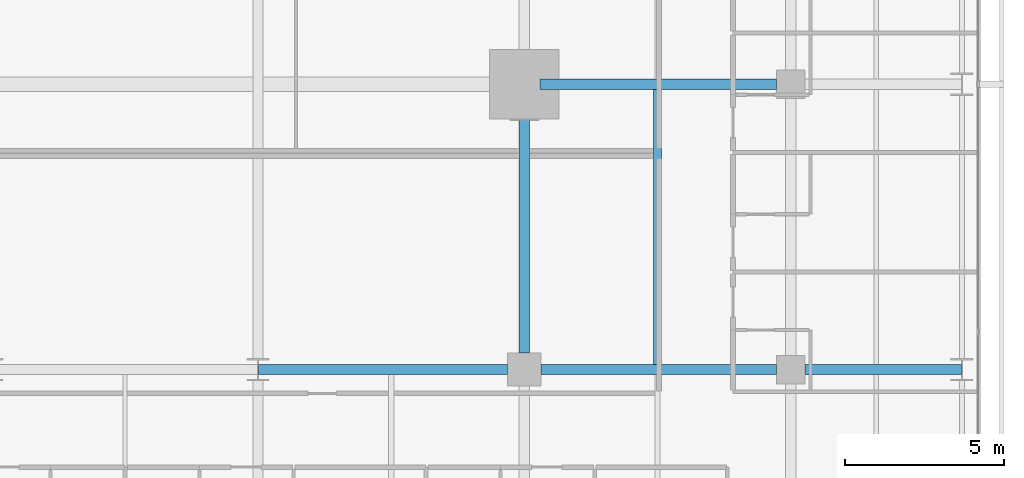
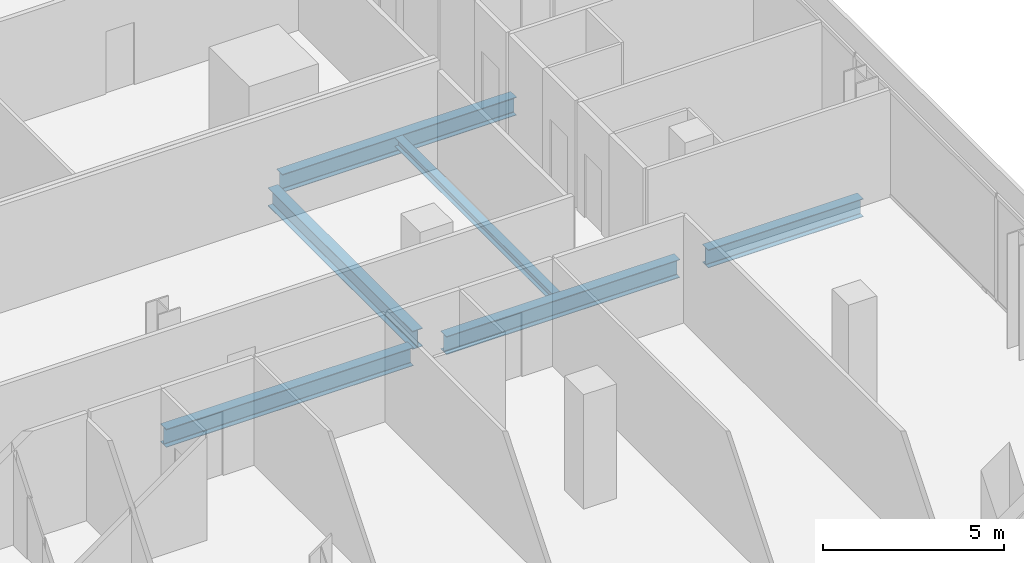
# One storey, part 18 of 40: 6 beams.
"""IFC4 building model written with IfcOpenShell, lengths in metres."""

import ifcopenshell
import ifcopenshell.guid

model = None  # the IFC model being written
_history = None  # IfcOwnerHistory: only IFC2X3 demands one
_inside = {}  # id of a spatial element -> (the spatial element, [elements in it])
_under = {}  # id of a project, library or spatial element -> (it, [spatial elements below it])
_declared = {}  # id of a project -> (the project, [libraries it declares])
_typed = {}  # id of a type object -> (the type object, [elements of that type])
_made_of = {}  # id of a material, layer set ... -> (it, [elements and type objects made of it])


def new_model(schema):
    """Start an empty IFC model of exactly this schema.

    Asked for "IFC4X3", IfcOpenShell would pick the latest addendum, in which some entities
    have other attributes; the version numbers below select the first issue.
    IFC2X3 requires an IfcOwnerHistory on every rooted entity: one is made here for all.
    """
    global model, _history
    if schema == "IFC4X3":
        model = ifcopenshell.file(schema_version=(4, 3, 0, 0))
    else:
        model = ifcopenshell.file(schema=schema)
    _inside.clear()
    _under.clear()
    _declared.clear()
    _typed.clear()
    _made_of.clear()
    _history = None
    if model.schema == "IFC2X3":
        org = make("IfcOrganization", Name="unknown")
        user = make(
            "IfcPersonAndOrganization",
            ThePerson=make("IfcPerson", FamilyName="unknown"),
            TheOrganization=org,
        )
        app = make(
            "IfcApplication",
            ApplicationDeveloper=org,
            Version="unknown",
            ApplicationFullName="unknown",
            ApplicationIdentifier="unknown",
        )
        _history = make(
            "IfcOwnerHistory",
            OwningUser=user,
            OwningApplication=app,
            ChangeAction="ADDED",
            CreationDate=0,
        )
    return model


def make(cls, **values):
    """One entity of the class cls with the attributes given. An attribute that is None is left unset."""
    return model.create_entity(
        cls, **{name: value for name, value in values.items() if value is not None}
    )


def rooted(cls, **values):
    """An entity with a GlobalId (a new one), such as an element, a storey or a relation."""
    return make(cls, GlobalId=ifcopenshell.guid.new(), OwnerHistory=_history, **values)


def si_unit(unit_type, name, prefix=None):
    """IfcSIUnit, for example si_unit("LENGTHUNIT", "METRE", prefix="MILLI")."""
    return make("IfcSIUnit", UnitType=unit_type, Prefix=prefix, Name=name)


def assignment(units):
    """IfcUnitAssignment: the units of a project."""
    return None if units is None else make("IfcUnitAssignment", Units=units)


def point(xyz):
    """IfcCartesianPoint."""
    return None if xyz is None else make("IfcCartesianPoint", Coordinates=xyz)


def direction(xyz):
    """IfcDirection."""
    return None if xyz is None else make("IfcDirection", DirectionRatios=xyz)


def frame(location, z_axis=None, x_axis=None):
    """IfcAxis2Placement3D, a coordinate frame: its origin and axes. An axis left out is left unset."""
    return make(
        "IfcAxis2Placement3D",
        Location=point(location),
        Axis=direction(z_axis),
        RefDirection=direction(x_axis),
    )


def frame_2d(location, x_axis=None):
    """IfcAxis2Placement2D, a coordinate frame in the plane: its origin and x axis."""
    return make(
        "IfcAxis2Placement2D", Location=point(location), RefDirection=direction(x_axis)
    )


def origin():
    """The frame at (0, 0, 0) with its axes left unset."""
    return frame((0.0, 0.0, 0.0))


def origin_2d():
    """The frame at (0, 0) in the plane with its x axis left unset."""
    return frame_2d((0.0, 0.0))


def place(relative_to, where):
    """IfcLocalPlacement: puts the frame where relative to a parent placement (None: the world)."""
    return make(
        "IfcLocalPlacement", PlacementRelTo=relative_to, RelativePlacement=where
    )


def context(
    kind, dimensions, precision=None, world=None, true_north=None, identifier=None
):
    """IfcGeometricRepresentationContext, for example the 3D "Model" context."""
    return make(
        "IfcGeometricRepresentationContext",
        ContextIdentifier=identifier,
        ContextType=kind,
        CoordinateSpaceDimension=dimensions,
        Precision=precision,
        WorldCoordinateSystem=world,
        TrueNorth=true_north,
    )


def subcontext(parent, identifier, kind, view, scale=None):
    """IfcGeometricRepresentationSubContext, for example "Body" below "Model"."""
    return make(
        "IfcGeometricRepresentationSubContext",
        ContextIdentifier=identifier,
        ContextType=kind,
        ParentContext=parent,
        TargetScale=scale,
        TargetView=view,
    )


def project(units=None, contexts=None):
    """IfcProject with its units and contexts."""
    return rooted(
        "IfcProject",
        Name="project",
        RepresentationContexts=contexts,
        UnitsInContext=assignment(units),
    )


def spatial(cls, under=None, at=None, **own):
    """A site, building, storey or space (cls), placed at a placement, below another one or the project."""
    s = rooted(cls, ObjectPlacement=at, **own)
    if under is not None:
        _under.setdefault(under.id(), (under, []))[1].append(s)
    return s


def profile(cls, at=None, kind="AREA", **sizes):
    """A parametric profile (cls). Its sizes go by their IFC names, for example OverallWidth=200.0."""
    return make(cls, ProfileType=kind, Position=at, **sizes)


def i_section(**sizes):
    """IfcIShapeProfileDef."""
    return profile("IfcIShapeProfileDef", **sizes)


def extrude(swept, where, along, depth):
    """IfcExtrudedAreaSolid: the profile swept, set in the frame where, extruded along a direction by depth."""
    return make(
        "IfcExtrudedAreaSolid",
        SweptArea=swept,
        Position=where,
        ExtrudedDirection=direction(along),
        Depth=depth,
    )


def shape(context_of_items, identifier, shape_type, items):
    """IfcShapeRepresentation: the items that make up one representation, for example the "Body"."""
    return make(
        "IfcShapeRepresentation",
        ContextOfItems=context_of_items,
        RepresentationIdentifier=identifier,
        RepresentationType=shape_type,
        Items=items,
    )


def material(Name=None, Category=None):
    """IfcMaterial."""
    return make("IfcMaterial", Name=Name, Category=Category)


def material_profile(
    of_material, cross_section, Name=None, Category=None, Priority=None
):
    """IfcMaterialProfile: a cross section and its material."""
    return make(
        "IfcMaterialProfile",
        Name=Name,
        Material=of_material,
        Profile=cross_section,
        Priority=Priority,
        Category=Category,
    )


def profile_set(profiles, Name=None, composite=None):
    """IfcMaterialProfileSet."""
    return make(
        "IfcMaterialProfileSet",
        Name=Name,
        MaterialProfiles=profiles,
        CompositeProfile=composite,
    )


def made_of(thing, what):
    """Note that an element or type object is made of a material, layer set ...; save() writes the relation."""
    if what is not None:
        _made_of.setdefault(what.id(), (what, []))[1].append(thing)
    return thing


def type_object(cls, material=None, **own):
    """A type object (cls), such as IfcWallType, which elements share."""
    return made_of(rooted(cls, **own), material)


def element(
    cls,
    number,
    at=None,
    inside=None,
    cuts=None,
    type_object=None,
    material=None,
    context=None,
    identifier="Body",
    shape_type=None,
    held_by="IfcProductDefinitionShape",
    body=None,
    shapes=None,
    **own,
):
    """One element of the class cls, such as IfcWall. Its Tag is "e" and its number.

    at: its placement. inside: the storey or other place that contains it. cuts: it is an
    opening in that element (IfcRelVoidsElement). A single representation is given by context,
    identifier, shape_type and body (its items); several are given by shapes. held_by: the class
    of the entity that holds the representations. save() writes the other relations.
    """
    e = rooted(cls, Tag="e%d" % number, ObjectPlacement=at, **own)
    if body is not None:
        shapes = [shape(context, identifier, shape_type, body)]
    if shapes is not None:
        e.Representation = make(held_by, Representations=shapes)
    if inside is not None:
        _inside.setdefault(inside.id(), (inside, []))[1].append(e)
    if cuts is not None:
        rooted(
            "IfcRelVoidsElement", RelatingBuildingElement=cuts, RelatedOpeningElement=e
        )
    if type_object is not None:
        _typed.setdefault(type_object.id(), (type_object, []))[1].append(e)
    return made_of(e, material)


def aggregate(whole, parts):
    """IfcRelAggregates: a whole, such as a stair, and the parts it consists of."""
    return rooted("IfcRelAggregates", RelatingObject=whole, RelatedObjects=parts)


def save(model, path):
    """Write the relations noted so far, then the file.

    IfcRelAggregates (storeys below a building ...), IfcRelContainedInSpatialStructure (elements
    in a storey), IfcRelDefinesByType, IfcRelAssociatesMaterial and IfcRelDeclares: one each for
    every whole, place, type object, material and project.
    """
    for whole, parts in _under.values():
        aggregate(whole, parts)
    for where, things in _inside.values():
        rooted(
            "IfcRelContainedInSpatialStructure",
            RelatedElements=things,
            RelatingStructure=where,
        )
    for kind, things in _typed.values():
        rooted("IfcRelDefinesByType", RelatedObjects=things, RelatingType=kind)
    for what, things in _made_of.values():
        rooted("IfcRelAssociatesMaterial", RelatedObjects=things, RelatingMaterial=what)
    for by, libraries in _declared.values():
        rooted("IfcRelDeclares", RelatingContext=by, RelatedDefinitions=libraries)
    model.write(path)


model = new_model("IFC4")

# Units and contexts
model_context = context("Model", 3, precision=1e-05, world=origin(), true_north=direction((0.0, 1.0)))
body_context = subcontext(model_context, "Body", "Model", "MODEL_VIEW")
ifc_project = project(units=[si_unit("LENGTHUNIT", "METRE"), si_unit("AREAUNIT", "SQUARE_METRE"), si_unit("VOLUMEUNIT", "CUBIC_METRE"), si_unit("PLANEANGLEUNIT", "RADIAN"), si_unit("MASSUNIT", "GRAM", prefix="KILO")], contexts=[model_context])

# Site, building, storey
site_placement = place(None, origin())
site = spatial("IfcSite", under=ifc_project, at=site_placement, CompositionType="ELEMENT")
building_placement = place(site_placement, origin())
building = spatial("IfcBuilding", under=site, at=building_placement, Name="Maruvema Waterfront Hotel and Observation Tower", CompositionType="ELEMENT")
storey_placement = place(building_placement, frame((0.0, 0.0, 103.949951171875)))
storey = spatial("IfcBuildingStorey", under=building, at=storey_placement, Name="L25", CompositionType="ELEMENT", Elevation=103.949951171875)

# Beams
ifc_material_1 = material(Name="Steel ASTM A572 Grade 50", Category="steel")
ifc_material_profile_1 = material_profile(ifc_material_1, i_section(OverallWidth=0.323974609375, OverallDepth=0.611083984375, WebThickness=0.0126953125, FlangeThickness=0.01904296875, FilletRadius=0.01806640625, at=origin_2d()), Name="W610x155.0")
ifc_profile_set_1 = profile_set([ifc_material_profile_1], Name="Steel ASTM A572 Grade 50")
beam_type_1 = type_object("IfcBeamType", Name="Primary Floor Girder W610x155.0", PredefinedType="BEAM", material=ifc_profile_set_1)
beam_1_placement = place(storey_placement, frame((42.013916015625, 18.0, -0.54541015625), z_axis=(1.0, 0.0, 0.0), x_axis=(0.0, 1.0, 0.0)))
element("IfcBeam", 1, at=beam_1_placement, inside=storey, type_object=beam_type_1, Name="L25 Floor Girder EW-17", PredefinedType="BEAM", context=body_context, shape_type="SweptSolid", body=[
    extrude(i_section(OverallWidth=0.323974609375, OverallDepth=0.611083984375, WebThickness=0.0126953125, FlangeThickness=0.01904296875, FilletRadius=0.01806640625, at=origin_2d()), origin(), (0.0, 0.0, 1.0), 7.861083984375),
])
beam_2_placement = place(storey_placement, frame((50.925048828125, 18.0, -0.54541015625), z_axis=(1.0, 0.0, 0.0), x_axis=(0.0, 1.0, 0.0)))
element("IfcBeam", 2, at=beam_2_placement, inside=storey, type_object=beam_type_1, Name="L25 Floor Girder EW-18", PredefinedType="BEAM", context=body_context, shape_type="SweptSolid", body=[
    extrude(i_section(OverallWidth=0.323974609375, OverallDepth=0.611083984375, WebThickness=0.0126953125, FlangeThickness=0.01904296875, FilletRadius=0.01806640625, at=origin_2d()), origin(), (0.0, 0.0, 1.0), 7.425048828125),
])
beam_3_placement = place(storey_placement, frame((59.25, 18.0, -0.54541015625), z_axis=(1.0, 0.0, 0.0), x_axis=(0.0, 1.0, 0.0)))
element("IfcBeam", 3, at=beam_3_placement, inside=storey, type_object=beam_type_1, Name="L25 Floor Girder EW-19", PredefinedType="BEAM", context=body_context, shape_type="SweptSolid", body=[
    extrude(i_section(OverallWidth=0.323974609375, OverallDepth=0.611083984375, WebThickness=0.0126953125, FlangeThickness=0.01904296875, FilletRadius=0.01806640625, at=origin_2d()), origin(), (0.0, 0.0, 1.0), 4.93603515625),
])
beam_4_placement = place(storey_placement, frame((50.89990234375, 27.0, -0.54541015625), z_axis=(1.0, 0.0, 0.0), x_axis=(0.0, 1.0, 0.0)))
element("IfcBeam", 4, at=beam_4_placement, inside=storey, type_object=beam_type_1, Name="L25 Floor Girder EW-23", PredefinedType="BEAM", context=body_context, shape_type="SweptSolid", body=[
    extrude(i_section(OverallWidth=0.323974609375, OverallDepth=0.611083984375, WebThickness=0.0126953125, FlangeThickness=0.01904296875, FilletRadius=0.01806640625, at=origin_2d()), origin(), (0.0, 0.0, 1.0), 7.4501953125),
])
beam_5_placement = place(storey_placement, frame((50.39990234375, 18.52490234375, -0.54541015625), z_axis=(0.0, 1.0, 0.0), x_axis=(-1.0, 0.0, 0.0)))
element("IfcBeam", 5, at=beam_5_placement, inside=storey, type_object=beam_type_1, Name="L25 Floor Girder NS-24", PredefinedType="BEAM", context=body_context, shape_type="SweptSolid", body=[
    extrude(i_section(OverallWidth=0.323974609375, OverallDepth=0.611083984375, WebThickness=0.0126953125, FlangeThickness=0.01904296875, FilletRadius=0.01806640625, at=origin_2d()), origin(), (0.0, 0.0, 1.0), 7.97509765625),
])
ifc_material_2 = material(Name="Steel ASTM A572 Grade 50", Category="steel")
ifc_material_profile_2 = material_profile(ifc_material_2, i_section(OverallWidth=0.25390625, OverallDepth=0.305908203125, WebThickness=0.0087890625, FlangeThickness=0.0146484375, FilletRadius=0.014892578125, at=origin_2d()), Name="W310x79.0")
ifc_profile_set_2 = profile_set([ifc_material_profile_2], Name="Steel ASTM A572 Grade 50")
beam_type_2 = type_object("IfcBeamType", Name="Secondary Floor Joist W310x79.0", PredefinedType="JOIST", material=ifc_profile_set_2)
beam_6_placement = place(storey_placement, frame((54.60009765625, 18.162109375, -0.39306640625), z_axis=(0.0, 1.0, 0.0), x_axis=(-1.0, 0.0, 0.0)))
element("IfcBeam", 6, at=beam_6_placement, inside=storey, type_object=beam_type_2, Name="L25 Secondary Floor Joist JS-18", PredefinedType="JOIST", context=body_context, shape_type="SweptSolid", body=[
    extrude(i_section(OverallWidth=0.25390625, OverallDepth=0.305908203125, WebThickness=0.0087890625, FlangeThickness=0.0146484375, FilletRadius=0.014892578125, at=origin_2d()), origin(), (0.0, 0.0, 1.0), 8.67578125),
])

save(model, "model.ifc")
